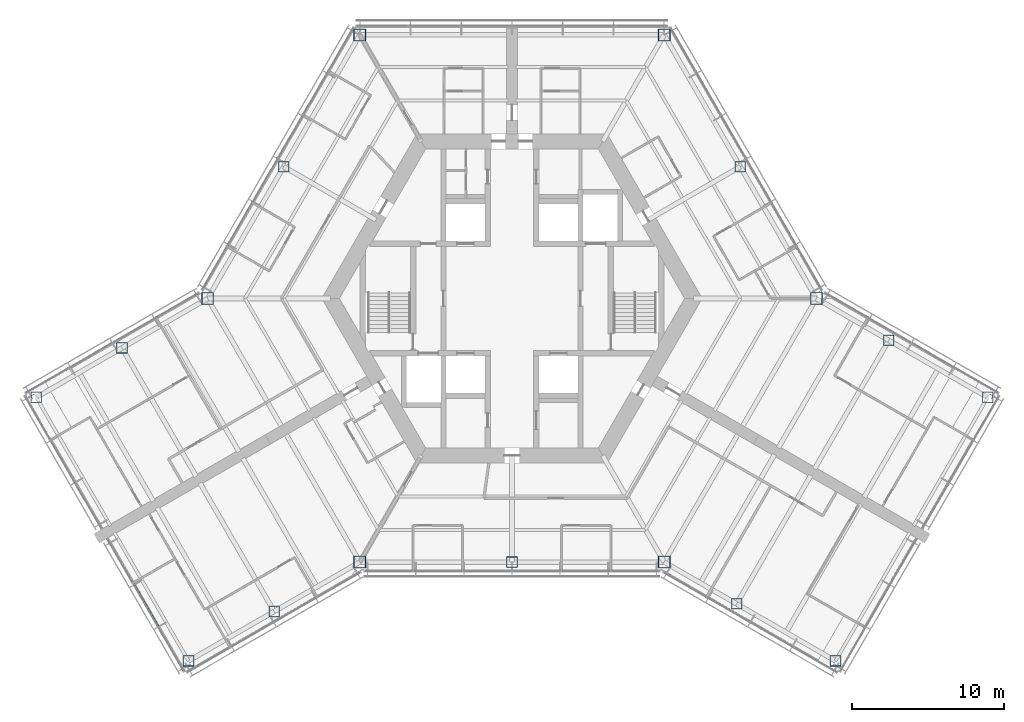
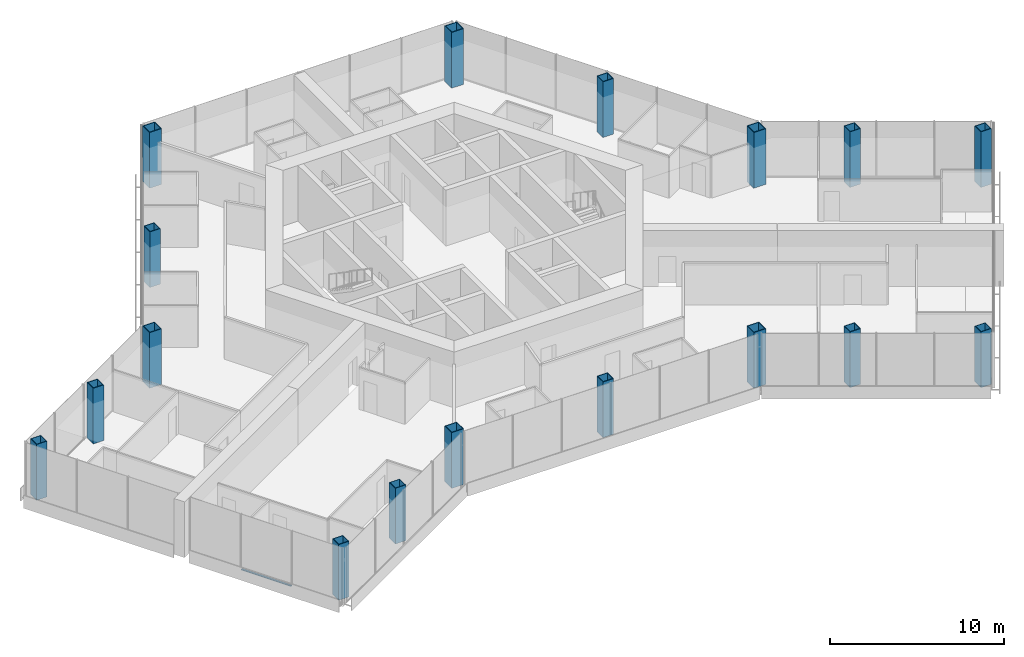
# One storey, part 1 of 18: 17 columns, 1 member, 1 element without a shape of its own.
"""IFC4 building model written with IfcOpenShell, lengths in metres."""

from ifc_helpers import new_model, si_unit, direction, frame, origin, origin_2d, place, context, subcontext, project, spatial, rectangle, hollow_rectangle, extrude, material, material_profile, profile_set, type_object, element, aggregate, save


model = new_model("IFC4")

# Units and contexts
model_context = context("Model", 3, precision=1e-05, world=origin(), true_north=direction((0.0, 1.0)))
body_context = subcontext(model_context, "Body", "Model", "MODEL_VIEW")
ifc_project = project(units=[si_unit("LENGTHUNIT", "METRE"), si_unit("AREAUNIT", "SQUARE_METRE"), si_unit("VOLUMEUNIT", "CUBIC_METRE"), si_unit("PLANEANGLEUNIT", "RADIAN"), si_unit("MASSUNIT", "GRAM", prefix="KILO")], contexts=[model_context])

# Site, building, storey
site_placement = place(None, origin())
site = spatial("IfcSite", under=ifc_project, at=site_placement, CompositionType="ELEMENT")
building_placement = place(site_placement, origin())
building = spatial("IfcBuilding", under=site, at=building_placement, Name="Kasaneha Research Tower", CompositionType="ELEMENT")
storey_placement = place(building_placement, frame((0.0, 0.0, 187.699951171875)))
storey = spatial("IfcBuildingStorey", under=building, at=storey_placement, Name="L47", CompositionType="ELEMENT", Elevation=187.699951171875)

# Columns
ifc_material_1 = material(Name="Steel SN490C", Category="steel")
ifc_material_profile_1 = material_profile(ifc_material_1, hollow_rectangle(XDim=0.800048828125, YDim=0.800048828125, WallThickness=0.044921875, at=origin_2d()), Name="BOX-800x800x45")
ifc_profile_set_1 = profile_set([ifc_material_profile_1], Name="Steel SN490C")
column_type_1 = type_object("IfcColumnType", Name="C3A column BOX-800x800x45", PredefinedType="COLUMN", material=ifc_profile_set_1)
for number, where, z_axis, x_axis, name in (
    (1, (20.0, 0.0, 0.0), (0.0, 0.0, 1.0), (1.0, 0.0, 0.0), "Column V0 L47"),
    (2, (10.0, 17.320556640625, 0.0), (0.0, 0.0, 1.0), (1.0, 0.0, 0.0), "Column V1 L47"),
    (3, (-10.0, 17.320556640625, 0.0), (0.0, 0.0, 1.0), (1.0, 0.0, 0.0), "Column V2 L47"),
    (4, (-20.0, 0.0, 0.0), (0.0, 0.0, 1.0), (1.0, 0.0, 0.0), "Column V3 L47"),
    (5, (-10.0, -17.320556640625, 0.0), (0.0, 0.0, 1.0), (1.0, 0.0, 0.0), "Column V4 L47"),
    (6, (10.0, -17.320556640625, 0.0), (0.0, 0.0, 1.0), (1.0, 0.0, 0.0), "Column V5 L47"),
):
    element("IfcColumn", number, at=place(storey_placement, frame(where, z_axis=z_axis, x_axis=x_axis)), inside=storey, type_object=column_type_1, Name=name, PredefinedType="COLUMN", context=body_context, shape_type="SweptSolid", body=[
        extrude(hollow_rectangle(XDim=0.800048828125, YDim=0.800048828125, WallThickness=0.044921875, at=origin_2d()), origin(), (0.0, 0.0, 1.0), 3.900146484375),
    ])
ifc_material_2 = material(Name="Steel SN490C", Category="steel")
ifc_material_profile_2 = material_profile(ifc_material_2, hollow_rectangle(XDim=0.699951171875, YDim=0.699951171875, WallThickness=0.035888671875, at=origin_2d()), Name="BOX-700x700x36")
ifc_profile_set_2 = profile_set([ifc_material_profile_2], Name="Steel SN490C")
column_type_2 = type_object("IfcColumnType", Name="C3B column BOX-700x700x36", PredefinedType="COLUMN", material=ifc_profile_set_2)
for number, where, z_axis, x_axis, name in (
    (7, (15.0, 8.66015625, 0.0), (0.0, 0.0, 1.0), (1.0, 0.0, 0.0), "Column M030 L47"),
    (8, (-15.0, 8.66015625, 0.0), (0.0, 0.0, 1.0), (1.0, 0.0, 0.0), "Column M150 L47"),
    (9, (0.0, -17.320556640625, 0.0), (0.0, 0.0, 1.0), (1.0, 0.0, 0.0), "Column M270 L47"),
    (10, (-25.629150390625, -3.25, 0.0), (0.0, 0.0, 1.0), (1.0, 0.0, 0.0), "Column BSP L47"),
    (11, (-31.25830078125, -6.5, 0.0), (0.0, 0.0, 1.0), (1.0, 0.0, 0.0), "Column BTP L47"),
    (12, (-15.629150390625, -20.570556640625, 0.0), (0.0, 0.0, 1.0), (1.0, 0.0, 0.0), "Column BSN L47"),
    (13, (-21.25830078125, -23.820556640625, 0.0), (0.0, 0.0, 1.0), (1.0, 0.0, 0.0), "Column BTN L47"),
    (14, (14.76318359375, -20.070556640625, 0.0), (0.0, 0.0, 1.0), (1.0, 0.0, 0.0), "Column CSP L47"),
    (15, (21.25830078125, -23.820556640625, 0.0), (0.0, 0.0, 1.0), (1.0, 0.0, 0.0), "Column CTP L47"),
    (16, (24.76318359375, -2.75, 0.0), (0.0, 0.0, 1.0), (1.0, 0.0, 0.0), "Column CSN L47"),
    (17, (31.25830078125, -6.5, 0.0), (0.0, 0.0, 1.0), (1.0, 0.0, 0.0), "Column CTN L47"),
):
    element("IfcColumn", number, at=place(storey_placement, frame(where, z_axis=z_axis, x_axis=x_axis)), inside=storey, type_object=column_type_2, Name=name, PredefinedType="COLUMN", context=body_context, shape_type="SweptSolid", body=[
        extrude(hollow_rectangle(XDim=0.699951171875, YDim=0.699951171875, WallThickness=0.035888671875, at=origin_2d()), origin(), (0.0, 0.0, 1.0), 3.900146484375),
    ])

# Curtain wall, member
ifc_material_3 = material(Name="Glass and aluminium", Category="aluminium")
curtain_wall_type = type_object("IfcCurtainWallType", Name="Mid-rise office curtain wall", PredefinedType="USERDEFINED", material=ifc_material_3)
curtain_wall_placement = place(storey_placement, origin())
curtain_wall = element("IfcCurtainWall", 18, at=curtain_wall_placement, inside=storey, type_object=curtain_wall_type, Name="CW-O2 L47 run 11a", ObjectType="UNITISED CURTAIN WALL", PredefinedType="USERDEFINED")
ifc_material_4 = material(Name="Aluminium 6063-T6", Category="aluminium")
ifc_material_profile_3 = material_profile(ifc_material_4, rectangle(XDim=0.110107421875, YDim=0.06005859375, at=origin_2d()), Name="CW-O2 transom 110x60")
ifc_profile_set_3 = profile_set([ifc_material_profile_3], Name="Aluminium 6063-T6")
member_type = type_object("IfcMemberType", Name="CW-O2 transom", PredefinedType="USERDEFINED", material=ifc_profile_set_3)
member_placement = place(storey_placement, frame((-24.896240234375, -18.719482421875, 0.030029296875), z_axis=(0.500010745865, -0.866019199568, 0.0), x_axis=(0.866019199568, 0.500010745865, 0.0)))
member = element("IfcMember", 19, at=member_placement, type_object=member_type, Name="CW-O2 transom 2", ObjectType="TRANSOM", PredefinedType="USERDEFINED", context=body_context, shape_type="SweptSolid", body=[
    extrude(rectangle(XDim=0.110107421875, YDim=0.06005859375, at=origin_2d()), origin(), (0.0, 0.0, 1.0), 3.3232421875),
])
aggregate(curtain_wall, [member])

save(model, "model.ifc")
